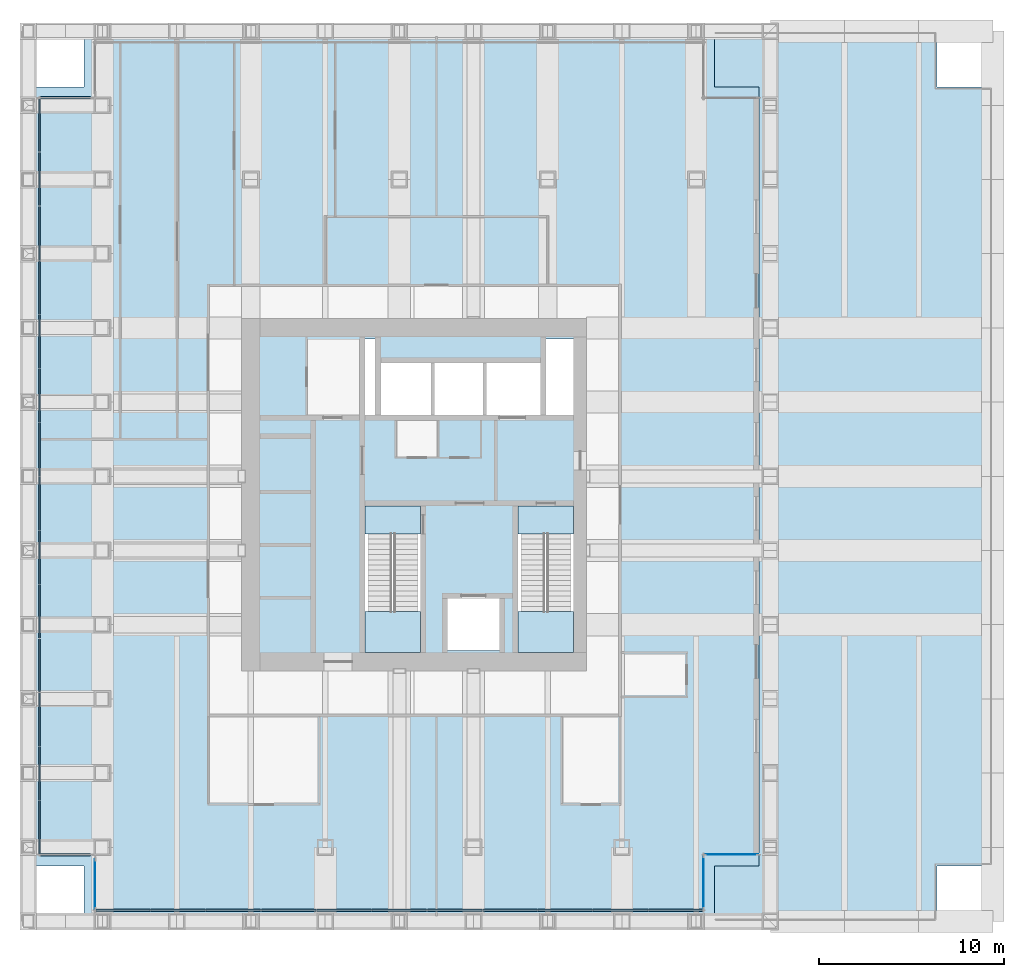
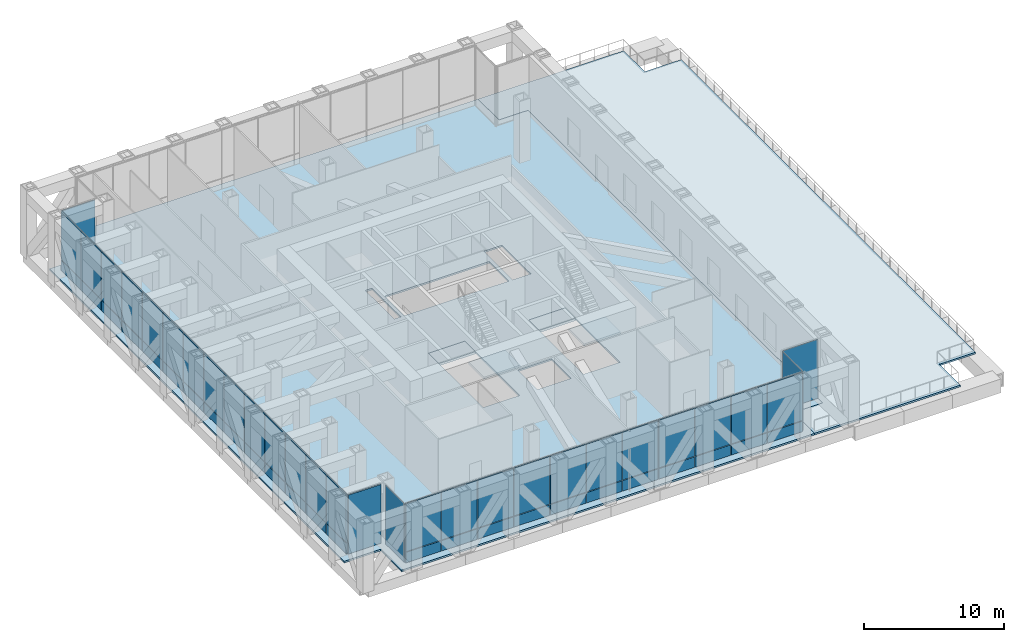
# One storey, part 9 of 13: 55 plates, 6 slabs, 9 elements without a shape of their own.
"""IFC4 building model written with IfcOpenShell, lengths in metres."""

from ifc_helpers import new_model, si_unit, direction, frame, origin, origin_2d, place, context, subcontext, project, spatial, polyline, rectangle, outline, extrude, material, layer, layer_set, type_object, element, aggregate, save


model = new_model("IFC4")

# Units and contexts
model_context = context("Model", 3, precision=1e-05, world=origin(), true_north=direction((0.0, 1.0)))
body_context = subcontext(model_context, "Body", "Model", "MODEL_VIEW")
ifc_project = project(units=[si_unit("LENGTHUNIT", "METRE"), si_unit("AREAUNIT", "SQUARE_METRE"), si_unit("VOLUMEUNIT", "CUBIC_METRE"), si_unit("PLANEANGLEUNIT", "RADIAN"), si_unit("MASSUNIT", "GRAM", prefix="KILO")], contexts=[model_context])

# Site, building, storey
site_placement = place(None, origin())
site = spatial("IfcSite", under=ifc_project, at=site_placement, CompositionType="ELEMENT")
building_placement = place(site_placement, origin())
building = spatial("IfcBuilding", under=site, at=building_placement, Name="Rimbunsela Tower", CompositionType="ELEMENT")
storey_placement = place(building_placement, frame((0.0, 0.0, 137.39990234375)))
storey = spatial("IfcBuildingStorey", under=building, at=storey_placement, Name="L33", CompositionType="ELEMENT", Elevation=137.39990234375)

# Slab
ifc_material_1 = material(Name="Concrete fc' 35 MPa", Category="concrete")
ifc_layer_1 = layer(ifc_material_1, 0.14990234375)
ifc_layer_set_1 = layer_set([ifc_layer_1], Name="Floor slab 150")
slab_type_1 = type_object("IfcSlabType", Name="Floor slab 150", PredefinedType="FLOOR", material=ifc_layer_set_1)
slab_1_placement = place(storey_placement, frame((0.0, 0.0, -0.14990234375)))
element("IfcSlab", 1, at=slab_1_placement, inside=storey, type_object=slab_type_1, Name="Floor slab L33", PredefinedType="FLOOR", context=body_context, shape_type="SweptSolid", body=[
    extrude(outline(polyline([(43.0, 7.0), (45.39990234375, 7.0), (45.39990234375, 49.0), (43.0, 49.0), (43.0, 52.0), (9.0, 52.0), (9.0, 49.0), (6.0, 49.0), (6.0, 7.0), (9.0, 7.0), (9.0, 4.0), (43.0, 4.0), (43.0, 7.0)]), holes=[polyline([(27.14990234375, 26.39990234375), (24.14990234375, 26.39990234375), (24.14990234375, 18.60009765625), (27.14990234375, 18.60009765625), (27.14990234375, 26.39990234375)]), polyline([(24.699951171875, 35.39990234375), (24.14990234375, 35.39990234375), (24.14990234375, 31.300048828125), (24.699951171875, 31.300048828125), (24.699951171875, 35.39990234375)]), polyline([(25.0, 34.10009765625), (25.0, 31.300048828125), (33.60009765625, 31.300048828125), (33.60009765625, 34.10009765625), (25.0, 34.10009765625)]), polyline([(31.39990234375, 21.39990234375), (28.60009765625, 21.39990234375), (28.60009765625, 18.60009765625), (31.39990234375, 18.60009765625), (31.39990234375, 21.39990234375)]), polyline([(35.39990234375, 26.39990234375), (32.39990234375, 26.39990234375), (32.39990234375, 18.60009765625), (35.39990234375, 18.60009765625), (35.39990234375, 26.39990234375)]), polyline([(35.39990234375, 35.39990234375), (33.89990234375, 35.39990234375), (33.89990234375, 31.300048828125), (35.39990234375, 31.300048828125), (35.39990234375, 35.39990234375)])]), origin(), (0.0, 0.0, 1.0), 0.14990234375),
])

# Curtain wall, plate
ifc_material_2 = material(Name="Aluminium curtain wall", Category="aluminium")
curtain_wall_type_1 = type_object("IfcCurtainWallType", Name="Corner glazing", PredefinedType="USERDEFINED", material=ifc_material_2)
curtain_wall_1_placement = place(storey_placement, origin())
curtain_wall_1 = element("IfcCurtainWall", 2, at=curtain_wall_1_placement, inside=storey, type_object=curtain_wall_type_1, Name="Corner glazing L33", ObjectType="CORNER GLAZING", PredefinedType="USERDEFINED")
ifc_material_3 = material(Name="Clear double glazing", Category="glass")
ifc_layer_2 = layer(ifc_material_3, 0.028076171875)
ifc_layer_set_2 = layer_set([ifc_layer_2], Name="Glazed panel clear")
plate_type_1 = type_object("IfcPlateType", Name="Glazed panel clear", PredefinedType="CURTAIN_PANEL", material=ifc_layer_set_2)
plate_1_placement = place(storey_placement, frame((42.39990234375, 6.10009765625, 0.06005859375), z_axis=(0.0, 0.0, 1.0), x_axis=(0.0, 1.0, 0.0)))
plate_1 = element("IfcPlate", 3, at=plate_1_placement, type_object=plate_type_1, Name="CW5 panel 1.1", PredefinedType="CURTAIN_PANEL", context=body_context, shape_type="SweptSolid", body=[
    extrude(rectangle(XDim=2.8798828125, YDim=0.028076171875, at=origin_2d()), origin(), (0.0, 0.0, 1.0), 5.1298828125),
])
aggregate(curtain_wall_1, [plate_1])

curtain_wall_2_placement = place(storey_placement, origin())
curtain_wall_2 = element("IfcCurtainWall", 4, at=curtain_wall_2_placement, inside=storey, type_object=curtain_wall_type_1, Name="Corner glazing L33", ObjectType="CORNER GLAZING", PredefinedType="USERDEFINED")
plate_2_placement = place(storey_placement, frame((43.89990234375, 7.60009765625, 0.06005859375), z_axis=(0.0, 0.0, 1.0), x_axis=(1.0, 0.0, 0.0)))
plate_2 = element("IfcPlate", 5, at=plate_2_placement, type_object=plate_type_1, Name="CW5 panel 1.1", PredefinedType="CURTAIN_PANEL", context=body_context, shape_type="SweptSolid", body=[
    extrude(rectangle(XDim=2.8798828125, YDim=0.028076171875, at=origin_2d()), origin(), (0.0, 0.0, 1.0), 5.1298828125),
])
aggregate(curtain_wall_2, [plate_2])

curtain_wall_3_placement = place(storey_placement, origin())
curtain_wall_3 = element("IfcCurtainWall", 6, at=curtain_wall_3_placement, inside=storey, type_object=curtain_wall_type_1, Name="Corner glazing L33", ObjectType="CORNER GLAZING", PredefinedType="USERDEFINED")
plate_3_placement = place(storey_placement, frame((9.60009765625, 6.00244140625, 0.06005859375), z_axis=(0.0, 0.0, 1.0), x_axis=(0.0, -1.0, 0.0)))
plate_3 = element("IfcPlate", 7, at=plate_3_placement, type_object=plate_type_1, Name="CW5 panel 1.1", PredefinedType="CURTAIN_PANEL", context=body_context, shape_type="SweptSolid", body=[
    extrude(rectangle(XDim=2.68505859375, YDim=0.028076171875, at=origin_2d()), origin(), (0.0, 0.0, 1.0), 5.1298828125),
])
aggregate(curtain_wall_3, [plate_3])

ifc_material_4 = material(Name="Aluminium curtain wall", Category="aluminium")
curtain_wall_type_2 = type_object("IfcCurtainWallType", Name="Spandrel wall", PredefinedType="USERDEFINED", material=ifc_material_4)
curtain_wall_4_placement = place(storey_placement, origin())
curtain_wall_4 = element("IfcCurtainWall", 8, at=curtain_wall_4_placement, inside=storey, type_object=curtain_wall_type_2, Name="Spandrel wall L33", ObjectType="SPANDREL WALL", PredefinedType="USERDEFINED")
ifc_material_5 = material(Name="Insulated aluminium spandrel panel", Category="aluminium")
ifc_layer_3 = layer(ifc_material_5, 0.10009765625)
ifc_layer_set_3 = layer_set([ifc_layer_3], Name="Insulated panel 100")
plate_type_2 = type_object("IfcPlateType", Name="Insulated panel 100", PredefinedType="CURTAIN_PANEL", material=ifc_layer_set_3)
plate_4_placement = place(storey_placement, frame((8.00244140625, 48.39990234375, 0.06005859375), z_axis=(0.0, 0.0, 1.0), x_axis=(-1.0, 0.0, 0.0)))
plate_4 = element("IfcPlate", 9, at=plate_4_placement, type_object=plate_type_2, Name="CW7 panel 1.1", PredefinedType="CURTAIN_PANEL", context=body_context, shape_type="SweptSolid", body=[
    extrude(rectangle(XDim=2.68505859375, YDim=0.10009765625, at=origin_2d()), origin(), (0.0, 0.0, 1.0), 5.1298828125),
])
aggregate(curtain_wall_4, [plate_4])

curtain_wall_5_placement = place(storey_placement, origin())
curtain_wall_5 = element("IfcCurtainWall", 10, at=curtain_wall_5_placement, inside=storey, type_object=curtain_wall_type_2, Name="Spandrel wall L33", ObjectType="SPANDREL WALL", PredefinedType="USERDEFINED")
plate_5_placement = place(storey_placement, frame((8.00244140625, 7.60009765625, 0.06005859375), z_axis=(0.0, 0.0, 1.0), x_axis=(1.0, 0.0, 0.0)))
plate_5 = element("IfcPlate", 11, at=plate_5_placement, type_object=plate_type_2, Name="CW7 panel 1.1", PredefinedType="CURTAIN_PANEL", context=body_context, shape_type="SweptSolid", body=[
    extrude(rectangle(XDim=2.68505859375, YDim=0.10009765625, at=origin_2d()), origin(), (0.0, 0.0, 1.0), 5.1298828125),
])
aggregate(curtain_wall_5, [plate_5])

# Curtain wall, plates
ifc_material_6 = material(Name="Aluminium curtain wall", Category="aluminium")
curtain_wall_type_3 = type_object("IfcCurtainWallType", Name="Plant floor louvre wall", PredefinedType="USERDEFINED", material=ifc_material_6)
curtain_wall_6_placement = place(storey_placement, origin())
curtain_wall_6 = element("IfcCurtainWall", 12, at=curtain_wall_6_placement, inside=storey, type_object=curtain_wall_type_3, Name="Plant floor louvre wall L33", ObjectType="PLANT FLOOR LOUVRE WALL", PredefinedType="USERDEFINED")
ifc_material_7 = material(Name="Aluminium louvre blades 100 deep", Category="aluminium")
ifc_layer_4 = layer(ifc_material_7, 0.10009765625)
ifc_layer_set_4 = layer_set([ifc_layer_4], Name="Louvre panel 100")
plate_type_3 = type_object("IfcPlateType", Name="Louvre panel 100", PredefinedType="CURTAIN_PANEL", material=ifc_layer_set_4)
plate_6_placement = place(storey_placement, frame((6.60009765625, 46.927978515625, 0.06005859375), z_axis=(0.0, 0.0, 1.0), x_axis=(0.0, -1.0, 0.0)))
plate_6 = element("IfcPlate", 13, at=plate_6_placement, type_object=plate_type_3, Name="CW3 panel 1.1", PredefinedType="CURTAIN_PANEL", context=body_context, shape_type="SweptSolid", body=[
    extrude(rectangle(XDim=2.82421875, YDim=0.10009765625, at=origin_2d()), origin(), (0.0, 0.0, 1.0), 0.909912109375),
])
plate_7_placement = place(storey_placement, frame((6.60009765625, 46.927978515625, 1.0302734375), z_axis=(0.0, 0.0, 1.0), x_axis=(0.0, -1.0, 0.0)))
plate_7 = element("IfcPlate", 14, at=plate_7_placement, type_object=plate_type_3, Name="CW3 panel 1.2", PredefinedType="CURTAIN_PANEL", context=body_context, shape_type="SweptSolid", body=[
    extrude(rectangle(XDim=2.82421875, YDim=0.10009765625, at=origin_2d()), origin(), (0.0, 0.0, 1.0), 4.159912109375),
])
plate_8_placement = place(storey_placement, frame((6.60009765625, 44.028564453125, 0.06005859375), z_axis=(0.0, 0.0, 1.0), x_axis=(0.0, -1.0, 0.0)))
plate_8 = element("IfcPlate", 15, at=plate_8_placement, type_object=plate_type_3, Name="CW3 panel 2.1", PredefinedType="CURTAIN_PANEL", context=body_context, shape_type="SweptSolid", body=[
    extrude(rectangle(XDim=2.854248046875, YDim=0.10009765625, at=origin_2d()), origin(), (0.0, 0.0, 1.0), 0.909912109375),
])
plate_9_placement = place(storey_placement, frame((6.60009765625, 44.028564453125, 1.0302734375), z_axis=(0.0, 0.0, 1.0), x_axis=(0.0, -1.0, 0.0)))
plate_9 = element("IfcPlate", 16, at=plate_9_placement, type_object=plate_type_3, Name="CW3 panel 2.2", PredefinedType="CURTAIN_PANEL", context=body_context, shape_type="SweptSolid", body=[
    extrude(rectangle(XDim=2.854248046875, YDim=0.10009765625, at=origin_2d()), origin(), (0.0, 0.0, 1.0), 4.159912109375),
])
plate_10_placement = place(storey_placement, frame((6.60009765625, 41.1142578125, 0.06005859375), z_axis=(0.0, 0.0, 1.0), x_axis=(0.0, -1.0, 0.0)))
plate_10 = element("IfcPlate", 17, at=plate_10_placement, type_object=plate_type_3, Name="CW3 panel 3.1", PredefinedType="CURTAIN_PANEL", context=body_context, shape_type="SweptSolid", body=[
    extrude(rectangle(XDim=2.854248046875, YDim=0.10009765625, at=origin_2d()), origin(), (0.0, 0.0, 1.0), 0.909912109375),
])
plate_11_placement = place(storey_placement, frame((6.60009765625, 41.1142578125, 1.0302734375), z_axis=(0.0, 0.0, 1.0), x_axis=(0.0, -1.0, 0.0)))
plate_11 = element("IfcPlate", 18, at=plate_11_placement, type_object=plate_type_3, Name="CW3 panel 3.2", PredefinedType="CURTAIN_PANEL", context=body_context, shape_type="SweptSolid", body=[
    extrude(rectangle(XDim=2.854248046875, YDim=0.10009765625, at=origin_2d()), origin(), (0.0, 0.0, 1.0), 4.159912109375),
])
plate_12_placement = place(storey_placement, frame((6.60009765625, 38.199951171875, 0.06005859375), z_axis=(0.0, 0.0, 1.0), x_axis=(0.0, -1.0, 0.0)))
plate_12 = element("IfcPlate", 19, at=plate_12_placement, type_object=plate_type_3, Name="CW3 panel 4.1", PredefinedType="CURTAIN_PANEL", context=body_context, shape_type="SweptSolid", body=[
    extrude(rectangle(XDim=2.854248046875, YDim=0.10009765625, at=origin_2d()), origin(), (0.0, 0.0, 1.0), 0.909912109375),
])
plate_13_placement = place(storey_placement, frame((6.60009765625, 38.199951171875, 1.0302734375), z_axis=(0.0, 0.0, 1.0), x_axis=(0.0, -1.0, 0.0)))
plate_13 = element("IfcPlate", 20, at=plate_13_placement, type_object=plate_type_3, Name="CW3 panel 4.2", PredefinedType="CURTAIN_PANEL", context=body_context, shape_type="SweptSolid", body=[
    extrude(rectangle(XDim=2.854248046875, YDim=0.10009765625, at=origin_2d()), origin(), (0.0, 0.0, 1.0), 4.159912109375),
])
plate_14_placement = place(storey_placement, frame((6.60009765625, 35.28564453125, 0.06005859375), z_axis=(0.0, 0.0, 1.0), x_axis=(0.0, -1.0, 0.0)))
plate_14 = element("IfcPlate", 21, at=plate_14_placement, type_object=plate_type_3, Name="CW3 panel 5.1", PredefinedType="CURTAIN_PANEL", context=body_context, shape_type="SweptSolid", body=[
    extrude(rectangle(XDim=2.854248046875, YDim=0.10009765625, at=origin_2d()), origin(), (0.0, 0.0, 1.0), 0.909912109375),
])
plate_15_placement = place(storey_placement, frame((6.60009765625, 35.28564453125, 1.0302734375), z_axis=(0.0, 0.0, 1.0), x_axis=(0.0, -1.0, 0.0)))
plate_15 = element("IfcPlate", 22, at=plate_15_placement, type_object=plate_type_3, Name="CW3 panel 5.2", PredefinedType="CURTAIN_PANEL", context=body_context, shape_type="SweptSolid", body=[
    extrude(rectangle(XDim=2.854248046875, YDim=0.10009765625, at=origin_2d()), origin(), (0.0, 0.0, 1.0), 4.159912109375),
])
plate_16_placement = place(storey_placement, frame((6.60009765625, 32.371337890625, 0.06005859375), z_axis=(0.0, 0.0, 1.0), x_axis=(0.0, -1.0, 0.0)))
plate_16 = element("IfcPlate", 23, at=plate_16_placement, type_object=plate_type_3, Name="CW3 panel 6.1", PredefinedType="CURTAIN_PANEL", context=body_context, shape_type="SweptSolid", body=[
    extrude(rectangle(XDim=2.854248046875, YDim=0.10009765625, at=origin_2d()), origin(), (0.0, 0.0, 1.0), 0.909912109375),
])
plate_17_placement = place(storey_placement, frame((6.60009765625, 32.371337890625, 1.0302734375), z_axis=(0.0, 0.0, 1.0), x_axis=(0.0, -1.0, 0.0)))
plate_17 = element("IfcPlate", 24, at=plate_17_placement, type_object=plate_type_3, Name="CW3 panel 6.2", PredefinedType="CURTAIN_PANEL", context=body_context, shape_type="SweptSolid", body=[
    extrude(rectangle(XDim=2.854248046875, YDim=0.10009765625, at=origin_2d()), origin(), (0.0, 0.0, 1.0), 4.159912109375),
])
plate_18_placement = place(storey_placement, frame((6.60009765625, 29.45703125, 0.06005859375), z_axis=(0.0, 0.0, 1.0), x_axis=(0.0, -1.0, 0.0)))
plate_18 = element("IfcPlate", 25, at=plate_18_placement, type_object=plate_type_3, Name="CW3 panel 7.1", PredefinedType="CURTAIN_PANEL", context=body_context, shape_type="SweptSolid", body=[
    extrude(rectangle(XDim=2.854248046875, YDim=0.10009765625, at=origin_2d()), origin(), (0.0, 0.0, 1.0), 0.909912109375),
])
plate_19_placement = place(storey_placement, frame((6.60009765625, 29.45703125, 1.0302734375), z_axis=(0.0, 0.0, 1.0), x_axis=(0.0, -1.0, 0.0)))
plate_19 = element("IfcPlate", 26, at=plate_19_placement, type_object=plate_type_3, Name="CW3 panel 7.2", PredefinedType="CURTAIN_PANEL", context=body_context, shape_type="SweptSolid", body=[
    extrude(rectangle(XDim=2.854248046875, YDim=0.10009765625, at=origin_2d()), origin(), (0.0, 0.0, 1.0), 4.159912109375),
])
plate_20_placement = place(storey_placement, frame((6.60009765625, 26.54296875, 0.06005859375), z_axis=(0.0, 0.0, 1.0), x_axis=(0.0, -1.0, 0.0)))
plate_20 = element("IfcPlate", 27, at=plate_20_placement, type_object=plate_type_3, Name="CW3 panel 8.1", PredefinedType="CURTAIN_PANEL", context=body_context, shape_type="SweptSolid", body=[
    extrude(rectangle(XDim=2.854248046875, YDim=0.10009765625, at=origin_2d()), origin(), (0.0, 0.0, 1.0), 0.909912109375),
])
plate_21_placement = place(storey_placement, frame((6.60009765625, 26.54296875, 1.0302734375), z_axis=(0.0, 0.0, 1.0), x_axis=(0.0, -1.0, 0.0)))
plate_21 = element("IfcPlate", 28, at=plate_21_placement, type_object=plate_type_3, Name="CW3 panel 8.2", PredefinedType="CURTAIN_PANEL", context=body_context, shape_type="SweptSolid", body=[
    extrude(rectangle(XDim=2.854248046875, YDim=0.10009765625, at=origin_2d()), origin(), (0.0, 0.0, 1.0), 4.159912109375),
])
plate_22_placement = place(storey_placement, frame((6.60009765625, 23.628662109375, 0.06005859375), z_axis=(0.0, 0.0, 1.0), x_axis=(0.0, -1.0, 0.0)))
plate_22 = element("IfcPlate", 29, at=plate_22_placement, type_object=plate_type_3, Name="CW3 panel 9.1", PredefinedType="CURTAIN_PANEL", context=body_context, shape_type="SweptSolid", body=[
    extrude(rectangle(XDim=2.854248046875, YDim=0.10009765625, at=origin_2d()), origin(), (0.0, 0.0, 1.0), 0.909912109375),
])
plate_23_placement = place(storey_placement, frame((6.60009765625, 23.628662109375, 1.0302734375), z_axis=(0.0, 0.0, 1.0), x_axis=(0.0, -1.0, 0.0)))
plate_23 = element("IfcPlate", 30, at=plate_23_placement, type_object=plate_type_3, Name="CW3 panel 9.2", PredefinedType="CURTAIN_PANEL", context=body_context, shape_type="SweptSolid", body=[
    extrude(rectangle(XDim=2.854248046875, YDim=0.10009765625, at=origin_2d()), origin(), (0.0, 0.0, 1.0), 4.159912109375),
])
plate_24_placement = place(storey_placement, frame((6.60009765625, 20.71435546875, 0.06005859375), z_axis=(0.0, 0.0, 1.0), x_axis=(0.0, -1.0, 0.0)))
plate_24 = element("IfcPlate", 31, at=plate_24_placement, type_object=plate_type_3, Name="CW3 panel 10.1", PredefinedType="CURTAIN_PANEL", context=body_context, shape_type="SweptSolid", body=[
    extrude(rectangle(XDim=2.854248046875, YDim=0.10009765625, at=origin_2d()), origin(), (0.0, 0.0, 1.0), 0.909912109375),
])
plate_25_placement = place(storey_placement, frame((6.60009765625, 20.71435546875, 1.0302734375), z_axis=(0.0, 0.0, 1.0), x_axis=(0.0, -1.0, 0.0)))
plate_25 = element("IfcPlate", 32, at=plate_25_placement, type_object=plate_type_3, Name="CW3 panel 10.2", PredefinedType="CURTAIN_PANEL", context=body_context, shape_type="SweptSolid", body=[
    extrude(rectangle(XDim=2.854248046875, YDim=0.10009765625, at=origin_2d()), origin(), (0.0, 0.0, 1.0), 4.159912109375),
])
plate_26_placement = place(storey_placement, frame((6.60009765625, 17.800048828125, 0.06005859375), z_axis=(0.0, 0.0, 1.0), x_axis=(0.0, -1.0, 0.0)))
plate_26 = element("IfcPlate", 33, at=plate_26_placement, type_object=plate_type_3, Name="CW3 panel 11.1", PredefinedType="CURTAIN_PANEL", context=body_context, shape_type="SweptSolid", body=[
    extrude(rectangle(XDim=2.854248046875, YDim=0.10009765625, at=origin_2d()), origin(), (0.0, 0.0, 1.0), 0.909912109375),
])
plate_27_placement = place(storey_placement, frame((6.60009765625, 17.800048828125, 1.0302734375), z_axis=(0.0, 0.0, 1.0), x_axis=(0.0, -1.0, 0.0)))
plate_27 = element("IfcPlate", 34, at=plate_27_placement, type_object=plate_type_3, Name="CW3 panel 11.2", PredefinedType="CURTAIN_PANEL", context=body_context, shape_type="SweptSolid", body=[
    extrude(rectangle(XDim=2.854248046875, YDim=0.10009765625, at=origin_2d()), origin(), (0.0, 0.0, 1.0), 4.159912109375),
])
plate_28_placement = place(storey_placement, frame((6.60009765625, 14.8857421875, 0.06005859375), z_axis=(0.0, 0.0, 1.0), x_axis=(0.0, -1.0, 0.0)))
plate_28 = element("IfcPlate", 35, at=plate_28_placement, type_object=plate_type_3, Name="CW3 panel 12.1", PredefinedType="CURTAIN_PANEL", context=body_context, shape_type="SweptSolid", body=[
    extrude(rectangle(XDim=2.854248046875, YDim=0.10009765625, at=origin_2d()), origin(), (0.0, 0.0, 1.0), 0.909912109375),
])
plate_29_placement = place(storey_placement, frame((6.60009765625, 14.8857421875, 1.0302734375), z_axis=(0.0, 0.0, 1.0), x_axis=(0.0, -1.0, 0.0)))
plate_29 = element("IfcPlate", 36, at=plate_29_placement, type_object=plate_type_3, Name="CW3 panel 12.2", PredefinedType="CURTAIN_PANEL", context=body_context, shape_type="SweptSolid", body=[
    extrude(rectangle(XDim=2.854248046875, YDim=0.10009765625, at=origin_2d()), origin(), (0.0, 0.0, 1.0), 4.159912109375),
])
plate_30_placement = place(storey_placement, frame((6.60009765625, 11.971435546875, 0.06005859375), z_axis=(0.0, 0.0, 1.0), x_axis=(0.0, -1.0, 0.0)))
plate_30 = element("IfcPlate", 37, at=plate_30_placement, type_object=plate_type_3, Name="CW3 panel 13.1", PredefinedType="CURTAIN_PANEL", context=body_context, shape_type="SweptSolid", body=[
    extrude(rectangle(XDim=2.854248046875, YDim=0.10009765625, at=origin_2d()), origin(), (0.0, 0.0, 1.0), 0.909912109375),
])
plate_31_placement = place(storey_placement, frame((6.60009765625, 11.971435546875, 1.0302734375), z_axis=(0.0, 0.0, 1.0), x_axis=(0.0, -1.0, 0.0)))
plate_31 = element("IfcPlate", 38, at=plate_31_placement, type_object=plate_type_3, Name="CW3 panel 13.2", PredefinedType="CURTAIN_PANEL", context=body_context, shape_type="SweptSolid", body=[
    extrude(rectangle(XDim=2.854248046875, YDim=0.10009765625, at=origin_2d()), origin(), (0.0, 0.0, 1.0), 4.159912109375),
])
plate_32_placement = place(storey_placement, frame((6.60009765625, 9.072021484375, 0.06005859375), z_axis=(0.0, 0.0, 1.0), x_axis=(0.0, -1.0, 0.0)))
plate_32 = element("IfcPlate", 39, at=plate_32_placement, type_object=plate_type_3, Name="CW3 panel 14.1", PredefinedType="CURTAIN_PANEL", context=body_context, shape_type="SweptSolid", body=[
    extrude(rectangle(XDim=2.82421875, YDim=0.10009765625, at=origin_2d()), origin(), (0.0, 0.0, 1.0), 0.909912109375),
])
plate_33_placement = place(storey_placement, frame((6.60009765625, 9.072021484375, 1.0302734375), z_axis=(0.0, 0.0, 1.0), x_axis=(0.0, -1.0, 0.0)))
plate_33 = element("IfcPlate", 40, at=plate_33_placement, type_object=plate_type_3, Name="CW3 panel 14.2", PredefinedType="CURTAIN_PANEL", context=body_context, shape_type="SweptSolid", body=[
    extrude(rectangle(XDim=2.82421875, YDim=0.10009765625, at=origin_2d()), origin(), (0.0, 0.0, 1.0), 4.159912109375),
])
aggregate(curtain_wall_6, [plate_6, plate_7, plate_8, plate_9, plate_10, plate_11, plate_12, plate_13, plate_14, plate_15, plate_16, plate_17, plate_18, plate_19, plate_20, plate_21, plate_22, plate_23, plate_24, plate_25, plate_26, plate_27, plate_28, plate_29, plate_30, plate_31, plate_32, plate_33])

curtain_wall_7_placement = place(storey_placement, origin())
curtain_wall_7 = element("IfcCurtainWall", 41, at=curtain_wall_7_placement, inside=storey, type_object=curtain_wall_type_3, Name="Plant floor louvre wall L33", ObjectType="PLANT FLOOR LOUVRE WALL", PredefinedType="USERDEFINED")
plate_34_placement = place(storey_placement, frame((11.10595703125, 4.60009765625, 0.06005859375), z_axis=(0.0, 0.0, 1.0), x_axis=(1.0, 0.0, 0.0)))
plate_34 = element("IfcPlate", 42, at=plate_34_placement, type_object=plate_type_3, Name="CW3 panel 1.1", PredefinedType="CURTAIN_PANEL", context=body_context, shape_type="SweptSolid", body=[
    extrude(rectangle(XDim=2.891845703125, YDim=0.10009765625, at=origin_2d()), origin(), (0.0, 0.0, 1.0), 0.909912109375),
])
plate_35_placement = place(storey_placement, frame((11.10595703125, 4.60009765625, 1.0302734375), z_axis=(0.0, 0.0, 1.0), x_axis=(1.0, 0.0, 0.0)))
plate_35 = element("IfcPlate", 43, at=plate_35_placement, type_object=plate_type_3, Name="CW3 panel 1.2", PredefinedType="CURTAIN_PANEL", context=body_context, shape_type="SweptSolid", body=[
    extrude(rectangle(XDim=2.891845703125, YDim=0.10009765625, at=origin_2d()), origin(), (0.0, 0.0, 1.0), 4.159912109375),
])
plate_36_placement = place(storey_placement, frame((14.07275390625, 4.60009765625, 0.06005859375), z_axis=(0.0, 0.0, 1.0), x_axis=(1.0, 0.0, 0.0)))
plate_36 = element("IfcPlate", 44, at=plate_36_placement, type_object=plate_type_3, Name="CW3 panel 2.1", PredefinedType="CURTAIN_PANEL", context=body_context, shape_type="SweptSolid", body=[
    extrude(rectangle(XDim=2.921875, YDim=0.10009765625, at=origin_2d()), origin(), (0.0, 0.0, 1.0), 0.909912109375),
])
plate_37_placement = place(storey_placement, frame((14.07275390625, 4.60009765625, 1.0302734375), z_axis=(0.0, 0.0, 1.0), x_axis=(1.0, 0.0, 0.0)))
plate_37 = element("IfcPlate", 45, at=plate_37_placement, type_object=plate_type_3, Name="CW3 panel 2.2", PredefinedType="CURTAIN_PANEL", context=body_context, shape_type="SweptSolid", body=[
    extrude(rectangle(XDim=2.921875, YDim=0.10009765625, at=origin_2d()), origin(), (0.0, 0.0, 1.0), 4.159912109375),
])
plate_38_placement = place(storey_placement, frame((17.054443359375, 4.60009765625, 0.06005859375), z_axis=(0.0, 0.0, 1.0), x_axis=(1.0, 0.0, 0.0)))
plate_38 = element("IfcPlate", 46, at=plate_38_placement, type_object=plate_type_3, Name="CW3 panel 3.1", PredefinedType="CURTAIN_PANEL", context=body_context, shape_type="SweptSolid", body=[
    extrude(rectangle(XDim=2.921875, YDim=0.10009765625, at=origin_2d()), origin(), (0.0, 0.0, 1.0), 0.909912109375),
])
plate_39_placement = place(storey_placement, frame((17.054443359375, 4.60009765625, 1.0302734375), z_axis=(0.0, 0.0, 1.0), x_axis=(1.0, 0.0, 0.0)))
plate_39 = element("IfcPlate", 47, at=plate_39_placement, type_object=plate_type_3, Name="CW3 panel 3.2", PredefinedType="CURTAIN_PANEL", context=body_context, shape_type="SweptSolid", body=[
    extrude(rectangle(XDim=2.921875, YDim=0.10009765625, at=origin_2d()), origin(), (0.0, 0.0, 1.0), 4.159912109375),
])
plate_40_placement = place(storey_placement, frame((20.036376953125, 4.60009765625, 0.06005859375), z_axis=(0.0, 0.0, 1.0), x_axis=(1.0, 0.0, 0.0)))
plate_40 = element("IfcPlate", 48, at=plate_40_placement, type_object=plate_type_3, Name="CW3 panel 4.1", PredefinedType="CURTAIN_PANEL", context=body_context, shape_type="SweptSolid", body=[
    extrude(rectangle(XDim=2.921875, YDim=0.10009765625, at=origin_2d()), origin(), (0.0, 0.0, 1.0), 0.909912109375),
])
plate_41_placement = place(storey_placement, frame((20.036376953125, 4.60009765625, 1.0302734375), z_axis=(0.0, 0.0, 1.0), x_axis=(1.0, 0.0, 0.0)))
plate_41 = element("IfcPlate", 49, at=plate_41_placement, type_object=plate_type_3, Name="CW3 panel 4.2", PredefinedType="CURTAIN_PANEL", context=body_context, shape_type="SweptSolid", body=[
    extrude(rectangle(XDim=2.921875, YDim=0.10009765625, at=origin_2d()), origin(), (0.0, 0.0, 1.0), 4.159912109375),
])
plate_42_placement = place(storey_placement, frame((23.01806640625, 4.60009765625, 0.06005859375), z_axis=(0.0, 0.0, 1.0), x_axis=(1.0, 0.0, 0.0)))
plate_42 = element("IfcPlate", 50, at=plate_42_placement, type_object=plate_type_3, Name="CW3 panel 5.1", PredefinedType="CURTAIN_PANEL", context=body_context, shape_type="SweptSolid", body=[
    extrude(rectangle(XDim=2.921875, YDim=0.10009765625, at=origin_2d()), origin(), (0.0, 0.0, 1.0), 0.909912109375),
])
plate_43_placement = place(storey_placement, frame((23.01806640625, 4.60009765625, 1.0302734375), z_axis=(0.0, 0.0, 1.0), x_axis=(1.0, 0.0, 0.0)))
plate_43 = element("IfcPlate", 51, at=plate_43_placement, type_object=plate_type_3, Name="CW3 panel 5.2", PredefinedType="CURTAIN_PANEL", context=body_context, shape_type="SweptSolid", body=[
    extrude(rectangle(XDim=2.921875, YDim=0.10009765625, at=origin_2d()), origin(), (0.0, 0.0, 1.0), 4.159912109375),
])
plate_44_placement = place(storey_placement, frame((26.0, 4.60009765625, 0.06005859375), z_axis=(0.0, 0.0, 1.0), x_axis=(1.0, 0.0, 0.0)))
plate_44 = element("IfcPlate", 52, at=plate_44_placement, type_object=plate_type_3, Name="CW3 panel 6.1", PredefinedType="CURTAIN_PANEL", context=body_context, shape_type="SweptSolid", body=[
    extrude(rectangle(XDim=2.921875, YDim=0.10009765625, at=origin_2d()), origin(), (0.0, 0.0, 1.0), 0.909912109375),
])
plate_45_placement = place(storey_placement, frame((26.0, 4.60009765625, 1.0302734375), z_axis=(0.0, 0.0, 1.0), x_axis=(1.0, 0.0, 0.0)))
plate_45 = element("IfcPlate", 53, at=plate_45_placement, type_object=plate_type_3, Name="CW3 panel 6.2", PredefinedType="CURTAIN_PANEL", context=body_context, shape_type="SweptSolid", body=[
    extrude(rectangle(XDim=2.921875, YDim=0.10009765625, at=origin_2d()), origin(), (0.0, 0.0, 1.0), 4.159912109375),
])
plate_46_placement = place(storey_placement, frame((28.98193359375, 4.60009765625, 0.06005859375), z_axis=(0.0, 0.0, 1.0), x_axis=(1.0, 0.0, 0.0)))
plate_46 = element("IfcPlate", 54, at=plate_46_placement, type_object=plate_type_3, Name="CW3 panel 7.1", PredefinedType="CURTAIN_PANEL", context=body_context, shape_type="SweptSolid", body=[
    extrude(rectangle(XDim=2.921875, YDim=0.10009765625, at=origin_2d()), origin(), (0.0, 0.0, 1.0), 0.909912109375),
])
plate_47_placement = place(storey_placement, frame((28.98193359375, 4.60009765625, 1.0302734375), z_axis=(0.0, 0.0, 1.0), x_axis=(1.0, 0.0, 0.0)))
plate_47 = element("IfcPlate", 55, at=plate_47_placement, type_object=plate_type_3, Name="CW3 panel 7.2", PredefinedType="CURTAIN_PANEL", context=body_context, shape_type="SweptSolid", body=[
    extrude(rectangle(XDim=2.921875, YDim=0.10009765625, at=origin_2d()), origin(), (0.0, 0.0, 1.0), 4.159912109375),
])
plate_48_placement = place(storey_placement, frame((31.963623046875, 4.60009765625, 0.06005859375), z_axis=(0.0, 0.0, 1.0), x_axis=(1.0, 0.0, 0.0)))
plate_48 = element("IfcPlate", 56, at=plate_48_placement, type_object=plate_type_3, Name="CW3 panel 8.1", PredefinedType="CURTAIN_PANEL", context=body_context, shape_type="SweptSolid", body=[
    extrude(rectangle(XDim=2.921875, YDim=0.10009765625, at=origin_2d()), origin(), (0.0, 0.0, 1.0), 0.909912109375),
])
plate_49_placement = place(storey_placement, frame((31.963623046875, 4.60009765625, 1.0302734375), z_axis=(0.0, 0.0, 1.0), x_axis=(1.0, 0.0, 0.0)))
plate_49 = element("IfcPlate", 57, at=plate_49_placement, type_object=plate_type_3, Name="CW3 panel 8.2", PredefinedType="CURTAIN_PANEL", context=body_context, shape_type="SweptSolid", body=[
    extrude(rectangle(XDim=2.921875, YDim=0.10009765625, at=origin_2d()), origin(), (0.0, 0.0, 1.0), 4.159912109375),
])
plate_50_placement = place(storey_placement, frame((34.945556640625, 4.60009765625, 0.06005859375), z_axis=(0.0, 0.0, 1.0), x_axis=(1.0, 0.0, 0.0)))
plate_50 = element("IfcPlate", 58, at=plate_50_placement, type_object=plate_type_3, Name="CW3 panel 9.1", PredefinedType="CURTAIN_PANEL", context=body_context, shape_type="SweptSolid", body=[
    extrude(rectangle(XDim=2.921875, YDim=0.10009765625, at=origin_2d()), origin(), (0.0, 0.0, 1.0), 0.909912109375),
])
plate_51_placement = place(storey_placement, frame((34.945556640625, 4.60009765625, 1.0302734375), z_axis=(0.0, 0.0, 1.0), x_axis=(1.0, 0.0, 0.0)))
plate_51 = element("IfcPlate", 59, at=plate_51_placement, type_object=plate_type_3, Name="CW3 panel 9.2", PredefinedType="CURTAIN_PANEL", context=body_context, shape_type="SweptSolid", body=[
    extrude(rectangle(XDim=2.921875, YDim=0.10009765625, at=origin_2d()), origin(), (0.0, 0.0, 1.0), 4.159912109375),
])
plate_52_placement = place(storey_placement, frame((37.92724609375, 4.60009765625, 0.06005859375), z_axis=(0.0, 0.0, 1.0), x_axis=(1.0, 0.0, 0.0)))
plate_52 = element("IfcPlate", 60, at=plate_52_placement, type_object=plate_type_3, Name="CW3 panel 10.1", PredefinedType="CURTAIN_PANEL", context=body_context, shape_type="SweptSolid", body=[
    extrude(rectangle(XDim=2.921875, YDim=0.10009765625, at=origin_2d()), origin(), (0.0, 0.0, 1.0), 0.909912109375),
])
plate_53_placement = place(storey_placement, frame((37.92724609375, 4.60009765625, 1.0302734375), z_axis=(0.0, 0.0, 1.0), x_axis=(1.0, 0.0, 0.0)))
plate_53 = element("IfcPlate", 61, at=plate_53_placement, type_object=plate_type_3, Name="CW3 panel 10.2", PredefinedType="CURTAIN_PANEL", context=body_context, shape_type="SweptSolid", body=[
    extrude(rectangle(XDim=2.921875, YDim=0.10009765625, at=origin_2d()), origin(), (0.0, 0.0, 1.0), 4.159912109375),
])
plate_54_placement = place(storey_placement, frame((40.89404296875, 4.60009765625, 0.06005859375), z_axis=(0.0, 0.0, 1.0), x_axis=(1.0, 0.0, 0.0)))
plate_54 = element("IfcPlate", 62, at=plate_54_placement, type_object=plate_type_3, Name="CW3 panel 11.1", PredefinedType="CURTAIN_PANEL", context=body_context, shape_type="SweptSolid", body=[
    extrude(rectangle(XDim=2.891845703125, YDim=0.10009765625, at=origin_2d()), origin(), (0.0, 0.0, 1.0), 0.909912109375),
])
plate_55_placement = place(storey_placement, frame((40.89404296875, 4.60009765625, 1.0302734375), z_axis=(0.0, 0.0, 1.0), x_axis=(1.0, 0.0, 0.0)))
plate_55 = element("IfcPlate", 63, at=plate_55_placement, type_object=plate_type_3, Name="CW3 panel 11.2", PredefinedType="CURTAIN_PANEL", context=body_context, shape_type="SweptSolid", body=[
    extrude(rectangle(XDim=2.891845703125, YDim=0.10009765625, at=origin_2d()), origin(), (0.0, 0.0, 1.0), 4.159912109375),
])
aggregate(curtain_wall_7, [plate_34, plate_35, plate_36, plate_37, plate_38, plate_39, plate_40, plate_41, plate_42, plate_43, plate_44, plate_45, plate_46, plate_47, plate_48, plate_49, plate_50, plate_51, plate_52, plate_53, plate_54, plate_55])

# Stair, slabs
ifc_material_8 = material(Name="Concrete fc' 35 MPa", Category="concrete")
stair_type = type_object("IfcStairType", Name="Exit stair 32 risers", PredefinedType="HALF_TURN_STAIR", material=ifc_material_8)
stair_1_placement = place(storey_placement, origin())
stair_1 = element("IfcStair", 64, at=stair_1_placement, inside=storey, type_object=stair_type, Name="Exit stair A L33", PredefinedType="HALF_TURN_STAIR")
ifc_material_9 = material(Name="Concrete fc' 35 MPa", Category="concrete")
ifc_layer_5 = layer(ifc_material_9, 0.199951171875)
ifc_layer_set_5 = layer_set([ifc_layer_5], Name="Stair landing 200")
slab_type_2 = type_object("IfcSlabType", Name="Stair landing 200", PredefinedType="LANDING", material=ifc_layer_set_5)
slab_2_placement = place(storey_placement, frame((0.0, 0.0, -0.199951171875)))
slab_2 = element("IfcSlab", 65, at=slab_2_placement, type_object=slab_type_2, Name="ST-A landing 1", PredefinedType="LANDING", context=body_context, shape_type="SweptSolid", body=[
    extrude(outline(polyline([(24.14990234375, 24.89990234375), (27.14990234375, 24.89990234375), (27.14990234375, 26.39990234375), (24.14990234375, 26.39990234375), (24.14990234375, 24.89990234375)])), origin(), (0.0, 0.0, 1.0), 0.199951171875),
])
slab_3_placement = place(storey_placement, frame((0.0, 0.0, 2.5)))
slab_3 = element("IfcSlab", 66, at=slab_3_placement, type_object=slab_type_2, Name="ST-A landing 2", PredefinedType="LANDING", context=body_context, shape_type="SweptSolid", body=[
    extrude(outline(polyline([(24.14990234375, 18.5), (27.14990234375, 18.5), (27.14990234375, 20.699951171875), (24.14990234375, 20.699951171875), (24.14990234375, 18.5)])), origin(), (0.0, 0.0, 1.0), 0.2001953125),
])
aggregate(stair_1, [slab_2, slab_3])

stair_2_placement = place(storey_placement, origin())
stair_2 = element("IfcStair", 67, at=stair_2_placement, inside=storey, type_object=stair_type, Name="Exit stair B L33", PredefinedType="HALF_TURN_STAIR")
slab_4_placement = place(storey_placement, frame((0.0, 0.0, -0.199951171875)))
slab_4 = element("IfcSlab", 68, at=slab_4_placement, type_object=slab_type_2, Name="ST-B landing 1", PredefinedType="LANDING", context=body_context, shape_type="SweptSolid", body=[
    extrude(outline(polyline([(32.39990234375, 24.89990234375), (35.39990234375, 24.89990234375), (35.39990234375, 26.39990234375), (32.39990234375, 26.39990234375), (32.39990234375, 24.89990234375)])), origin(), (0.0, 0.0, 1.0), 0.199951171875),
])
slab_5_placement = place(storey_placement, frame((0.0, 0.0, 2.5)))
slab_5 = element("IfcSlab", 69, at=slab_5_placement, type_object=slab_type_2, Name="ST-B landing 2", PredefinedType="LANDING", context=body_context, shape_type="SweptSolid", body=[
    extrude(outline(polyline([(32.39990234375, 18.5), (35.39990234375, 18.5), (35.39990234375, 20.699951171875), (32.39990234375, 20.699951171875), (32.39990234375, 18.5)])), origin(), (0.0, 0.0, 1.0), 0.2001953125),
])
aggregate(stair_2, [slab_4, slab_5])

# Slab
ifc_material_10 = material(Name="Concrete fc' 35 MPa", Category="concrete")
ifc_layer_6 = layer(ifc_material_10, 0.14990234375)
ifc_layer_set_6 = layer_set([ifc_layer_6], Name="Terrace slab 150")
slab_type_3 = type_object("IfcSlabType", Name="Terrace slab 150", PredefinedType="ROOF", material=ifc_layer_set_6)
slab_6_placement = place(storey_placement, frame((0.0, 0.0, -0.14990234375)))
element("IfcSlab", 70, at=slab_6_placement, inside=storey, type_object=slab_type_3, Name="Terrace L33", PredefinedType="ROOF", context=body_context, shape_type="SweptSolid", body=[
    extrude(outline(polyline([(55.0, 52.0), (55.0, 49.0), (58.0, 49.0), (58.0, 7.0), (55.0, 7.0), (55.0, 4.0), (43.0, 4.0), (43.0, 7.0), (45.39990234375, 7.0), (45.39990234375, 49.0), (43.0, 49.0), (43.0, 52.0), (55.0, 52.0)])), origin(), (0.0, 0.0, 1.0), 0.14990234375),
])

save(model, "model.ifc")
